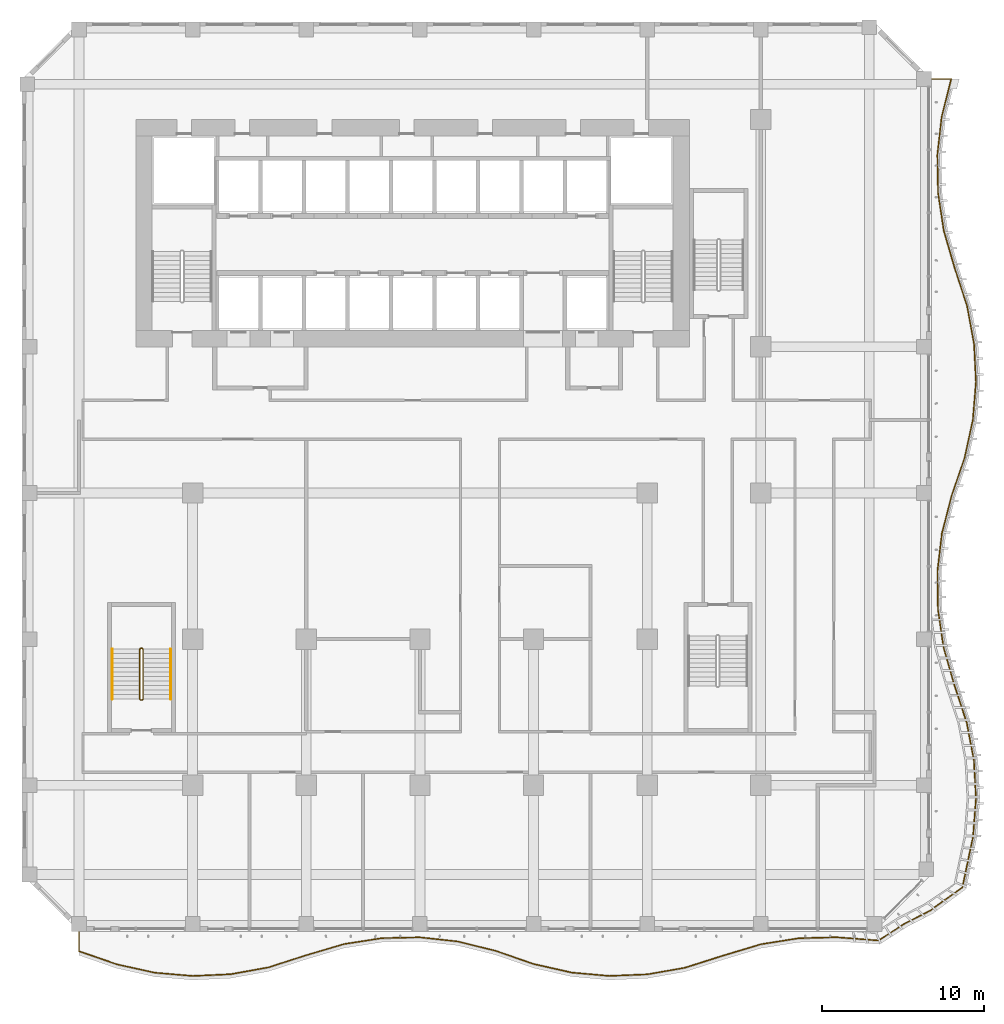
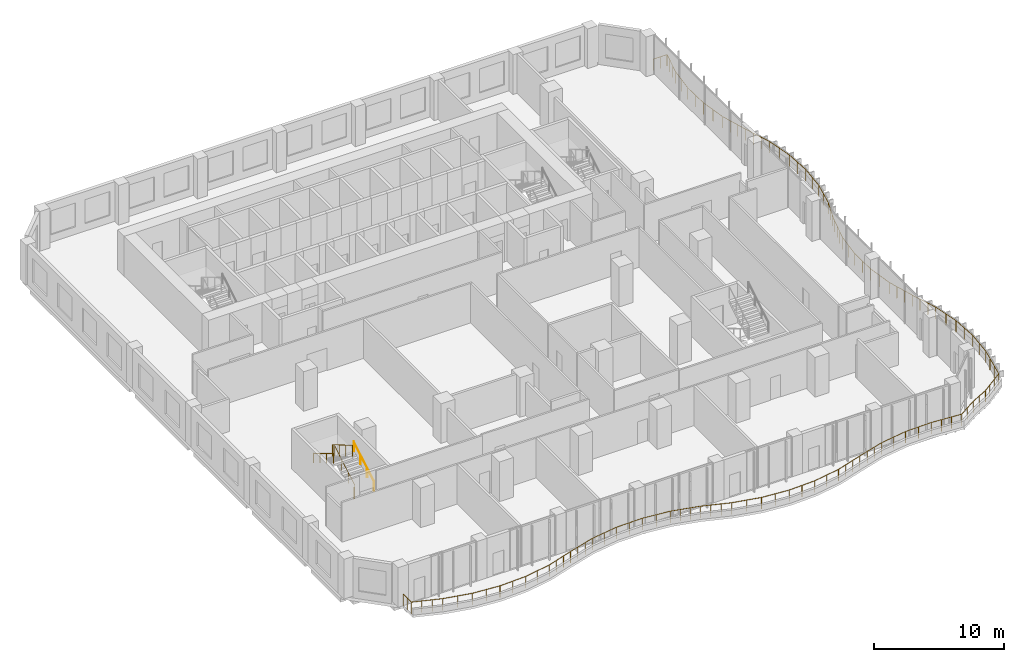
# One storey, part 21 of 28: 4 railings.
"""IFC4 building model written with IfcOpenShell, lengths in metres."""

from ifc_helpers import new_model, si_unit, direction, frame, origin, origin_2d, place, context, subcontext, project, spatial, circle, extrude, material, type_object, element, save


model = new_model("IFC4")

# Units and contexts
model_context = context("Model", 3, precision=1e-05, world=origin(), true_north=direction((0.0, 1.0)))
body_context = subcontext(model_context, "Body", "Model", "MODEL_VIEW")
ifc_project = project(units=[si_unit("LENGTHUNIT", "METRE"), si_unit("AREAUNIT", "SQUARE_METRE"), si_unit("VOLUMEUNIT", "CUBIC_METRE"), si_unit("PLANEANGLEUNIT", "RADIAN"), si_unit("MASSUNIT", "GRAM", prefix="KILO")], contexts=[model_context])

# Site, building, storey
site_placement = place(None, origin())
site = spatial("IfcSite", under=ifc_project, at=site_placement, CompositionType="ELEMENT")
building_placement = place(site_placement, origin())
building = spatial("IfcBuilding", under=site, at=building_placement, Name="Kilnfold Tower and Market Hall", CompositionType="ELEMENT")
storey_placement = place(building_placement, frame((0.0, 0.0, 75.199951171875)))
storey = spatial("IfcBuildingStorey", under=building, at=storey_placement, Name="L17", CompositionType="ELEMENT", Elevation=75.199951171875)

# Railings
ifc_material_1 = material(Name="Stainless steel 316", Category="steel")
railing_type_1 = type_object("IfcRailingType", Name="CORE STAIR GUARD 1100", PredefinedType="GUARDRAIL", material=ifc_material_1)
railing_1_placement = place(storey_placement, frame((-15.699951171875, -13.75, 0.0)))
element("IfcRailing", 1, at=railing_1_placement, inside=storey, type_object=railing_type_1, Name="L17 ST3 stair guard 1", PredefinedType="GUARDRAIL", context=body_context, shape_type="SweptSolid", body=[
    extrude(circle(Radius=0.02392578125, at=origin_2d()), frame((0.0, 0.0, 1.076171875), z_axis=(1.0, 0.0, 0.0), x_axis=(0.0, 1.0, 0.0)), (0.0, 0.0, 1.0), 0.099853515625),
    extrude(circle(Radius=0.02392578125, at=origin_2d()), frame((0.099853515625, 0.0, 1.076171875), z_axis=(0.27628659633, 0.27628659633, 0.920506074601), x_axis=(-0.707106781187, 0.707106781187, 0.0)), (0.0, 0.0, 1.0), 0.18115234375),
    extrude(circle(Radius=0.02392578125, at=origin_2d()), frame((0.14990234375, 0.050048828125, 1.24267578125), z_axis=(0.0, 0.859290745958, 0.51148745235), x_axis=(-1.0, 0.0, 0.0)), (0.0, 0.0, 1.0), 3.584228515625),
    extrude(circle(Radius=0.02392578125, at=origin_2d()), frame((0.14990234375, 3.1298828125, 3.076171875), z_axis=(-0.707106781187, 0.707106781187, 0.0), x_axis=(-0.707106781187, -0.707106781187, 0.0)), (0.0, 0.0, 1.0), 0.07080078125),
    extrude(circle(Radius=0.02392578125, at=origin_2d()), frame((0.099853515625, 3.179931640625, 3.076171875), z_axis=(-1.0, 0.0, 0.0), x_axis=(0.0, -1.0, 0.0)), (0.0, 0.0, 1.0), 0.099853515625),
    extrude(circle(Radius=0.02392578125, at=origin_2d()), frame((0.0, 3.179931640625, 3.076171875), z_axis=(-0.27628659633, -0.27628659633, 0.920506074601), x_axis=(0.707106781187, -0.707106781187, 0.0)), (0.0, 0.0, 1.0), 0.18115234375),
    extrude(circle(Radius=0.02392578125, at=origin_2d()), frame((-0.050048828125, 3.1298828125, 3.24267578125), z_axis=(0.0, -0.859290745958, 0.51148745235), x_axis=(1.0, 0.0, 0.0)), (0.0, 0.0, 1.0), 3.584228515625),
    extrude(circle(Radius=0.02099609375, at=origin_2d()), origin(), (0.0, 0.0, 1.0), 1.052001953125),
    extrude(circle(Radius=0.02099609375, at=origin_2d()), frame((0.099853515625, 0.0, 0.0)), (0.0, 0.0, 1.0), 1.052001953125),
    extrude(circle(Radius=0.02099609375, at=origin_2d()), frame((0.14990234375, 0.050048828125, 0.166748046875)), (0.0, 0.0, 1.0), 1.052001953125),
    extrude(circle(Radius=0.02099609375, at=origin_2d()), frame((0.14990234375, 1.07666015625, 0.77783203125)), (0.0, 0.0, 1.0), 1.052001953125),
    extrude(circle(Radius=0.02099609375, at=origin_2d()), frame((0.14990234375, 2.103271484375, 1.388916015625)), (0.0, 0.0, 1.0), 1.052001953125),
    extrude(circle(Radius=0.02099609375, at=origin_2d()), frame((0.14990234375, 3.1298828125, 2.0)), (0.0, 0.0, 1.0), 1.052001953125),
    extrude(circle(Radius=0.02099609375, at=origin_2d()), frame((0.099853515625, 3.179931640625, 2.0)), (0.0, 0.0, 1.0), 1.052001953125),
    extrude(circle(Radius=0.02099609375, at=origin_2d()), frame((0.0, 3.179931640625, 2.0)), (0.0, 0.0, 1.0), 1.052001953125),
    extrude(circle(Radius=0.02099609375, at=origin_2d()), frame((-0.050048828125, 3.1298828125, 2.166748046875)), (0.0, 0.0, 1.0), 1.052001953125),
    extrude(circle(Radius=0.02099609375, at=origin_2d()), frame((-0.050048828125, 2.103271484375, 2.77783203125)), (0.0, 0.0, 1.0), 1.052001953125),
    extrude(circle(Radius=0.02099609375, at=origin_2d()), frame((-0.050048828125, 1.07666015625, 3.388916015625)), (0.0, 0.0, 1.0), 1.052001953125),
    extrude(circle(Radius=0.02099609375, at=origin_2d()), frame((-0.050048828125, 0.050048828125, 4.0)), (0.0, 0.0, 1.0), 1.052001953125),
])
ifc_material_2 = material(Name="Stainless steel 316", Category="steel")
railing_type_2 = type_object("IfcRailingType", Name="CORE STAIR HANDRAIL 900", PredefinedType="HANDRAIL", material=ifc_material_2)
railing_2_placement = place(storey_placement, frame((-13.85009765625, -13.699951171875, 0.166748046875)))
element("IfcRailing", 2, at=railing_2_placement, inside=storey, type_object=railing_type_2, Name="L17 ST3 stair handrail 1", PredefinedType="HANDRAIL", context=body_context, shape_type="SweptSolid", body=[
    extrude(circle(Radius=0.02392578125, at=origin_2d()), frame((0.0, 0.0, 0.8759765625), z_axis=(0.0, 0.859290745958, 0.51148745235), x_axis=(-1.0, 0.0, 0.0)), (0.0, 0.0, 1.0), 3.584228515625),
    extrude(circle(Radius=0.02099609375, at=origin_2d()), origin(), (0.0, 0.0, 1.0), 0.851806640625),
    extrude(circle(Radius=0.02099609375, at=origin_2d()), frame((0.0, 1.026611328125, 0.611083984375)), (0.0, 0.0, 1.0), 0.851806640625),
    extrude(circle(Radius=0.02099609375, at=origin_2d()), frame((0.0, 2.05322265625, 1.22216796875)), (0.0, 0.0, 1.0), 0.851806640625),
    extrude(circle(Radius=0.02099609375, at=origin_2d()), frame((0.0, 3.079833984375, 1.833251953125)), (0.0, 0.0, 1.0), 0.851806640625),
])
railing_3_placement = place(storey_placement, frame((-17.449951171875, -10.6201171875, 2.166748046875)))
element("IfcRailing", 3, at=railing_3_placement, inside=storey, type_object=railing_type_2, Name="L17 ST3 stair handrail 2", PredefinedType="HANDRAIL", context=body_context, shape_type="SweptSolid", body=[
    extrude(circle(Radius=0.02392578125, at=origin_2d()), frame((0.0, 0.0, 0.8759765625), z_axis=(0.0, -0.859290745958, 0.51148745235), x_axis=(1.0, 0.0, 0.0)), (0.0, 0.0, 1.0), 3.584228515625),
    extrude(circle(Radius=0.02099609375, at=origin_2d()), origin(), (0.0, 0.0, 1.0), 0.851806640625),
    extrude(circle(Radius=0.02099609375, at=origin_2d()), frame((0.0, -1.026611328125, 0.611083984375)), (0.0, 0.0, 1.0), 0.851806640625),
    extrude(circle(Radius=0.02099609375, at=origin_2d()), frame((0.0, -2.05322265625, 1.22216796875)), (0.0, 0.0, 1.0), 0.851806640625),
    extrude(circle(Radius=0.02099609375, at=origin_2d()), frame((0.0, -3.079833984375, 1.833251953125)), (0.0, 0.0, 1.0), 0.851806640625),
])
ifc_material_3 = material(Name="Stainless steel and laminated glass", Category="steel")
railing_type_3 = type_object("IfcRailingType", Name="GUARD 1100", PredefinedType="GUARDRAIL", material=ifc_material_3)
railing_4_placement = place(storey_placement, frame((-19.5, -28.0, 0.0)))
element("IfcRailing", 4, at=railing_4_placement, inside=storey, type_object=railing_type_3, Name="Guard balcony L17", PredefinedType="GUARDRAIL", context=body_context, shape_type="SweptSolid", body=[
    extrude(circle(Radius=0.02490234375, at=origin_2d()), frame((0.0, 0.0, 1.0751953125), z_axis=(0.0, -1.0, 0.0), x_axis=(1.0, 0.0, 0.0)), (0.0, 0.0, 1.0), 1.223388671875),
    extrude(circle(Radius=0.02490234375, at=origin_2d()), frame((0.0, -1.223388671875, 1.0751953125), z_axis=(0.945175220701, -0.326563626531, 0.0), x_axis=(0.326563626531, 0.945175220701, 0.0)), (0.0, 0.0, 1.0), 2.468505859375),
    extrude(circle(Radius=0.02490234375, at=origin_2d()), frame((2.333251953125, -2.029541015625, 1.0751953125), z_axis=(0.976316671671, -0.216346381105, 0.0), x_axis=(0.216346381105, 0.976316671671, 0.0)), (0.0, 0.0, 1.0), 2.39013671875),
    extrude(circle(Radius=0.02490234375, at=origin_2d()), frame((4.666748046875, -2.546630859375, 1.0751953125), z_axis=(0.996348169595, -0.085383399696, 0.0), x_axis=(0.085383399696, 0.996348169595, 0.0)), (0.0, 0.0, 1.0), 2.341796875),
    extrude(circle(Radius=0.02490234375, at=origin_2d()), frame((7.0, -2.74658203125, 1.0751953125), z_axis=(0.998956219138, 0.045677918569, 0.0), x_axis=(-0.045677918569, 0.998956219138, 0.0)), (0.0, 0.0, 1.0), 2.335693359375),
    extrude(circle(Radius=0.02490234375, at=origin_2d()), frame((9.333251953125, -2.639892578125, 1.0751953125), z_axis=(0.984280847585, 0.176610342499, 0.0), x_axis=(-0.176610342499, 0.984280847585, 0.0)), (0.0, 0.0, 1.0), 2.370849609375),
    extrude(circle(Radius=0.02490234375, at=origin_2d()), frame((11.666748046875, -2.22119140625, 1.0751953125), z_axis=(0.951822133239, 0.306650659019, 0.0), x_axis=(-0.306650659019, 0.951822133239, 0.0)), (0.0, 0.0, 1.0), 2.451416015625),
    extrude(circle(Radius=0.02490234375, at=origin_2d()), frame((14.0, -1.469482421875, 1.0751953125), z_axis=(0.958871969093, 0.283838945335, 0.0), x_axis=(-0.283838945335, 0.958871969093, 0.0)), (0.0, 0.0, 1.0), 2.433349609375),
    extrude(circle(Radius=0.02490234375, at=origin_2d()), frame((16.333251953125, -0.77880859375, 1.0751953125), z_axis=(0.988254262628, 0.152818560385, 0.0), x_axis=(-0.152818560385, 0.988254262628, 0.0)), (0.0, 0.0, 1.0), 2.361328125),
    extrude(circle(Radius=0.02490234375, at=origin_2d()), frame((18.666748046875, -0.41796875, 1.0751953125), z_axis=(0.999760963806, 0.021863559845, 0.0), x_axis=(-0.021863559845, 0.999760963806, 0.0)), (0.0, 0.0, 1.0), 2.333740234375),
    extrude(circle(Radius=0.02490234375, at=origin_2d()), frame((21.0, -0.366943359375, 1.0751953125), z_axis=(0.994018703781, -0.109209965363, 0.0), x_axis=(0.109209965363, 0.994018703781, 0.0)), (0.0, 0.0, 1.0), 2.347412109375),
    extrude(circle(Radius=0.02490234375, at=origin_2d()), frame((23.333251953125, -0.623291015625, 1.0751953125), z_axis=(0.970748821988, -0.240097323203, 0.0), x_axis=(0.240097323203, 0.970748821988, 0.0)), (0.0, 0.0, 1.0), 2.40380859375),
    extrude(circle(Radius=0.02490234375, at=origin_2d()), frame((25.666748046875, -1.200439453125, 1.0751953125), z_axis=(0.944930811153, -0.327270166885, 0.0), x_axis=(0.327270166885, 0.944930811153, 0.0)), (0.0, 0.0, 1.0), 2.46923828125),
    extrude(circle(Radius=0.02490234375, at=origin_2d()), frame((28.0, -2.008544921875, 1.0751953125), z_axis=(0.97541977644, -0.220354849569, 0.0), x_axis=(0.220354849569, 0.97541977644, 0.0)), (0.0, 0.0, 1.0), 2.39208984375),
    extrude(circle(Radius=0.02490234375, at=origin_2d()), frame((30.333251953125, -2.53564453125, 1.0751953125), z_axis=(0.995995065354, -0.089408219928, 0.0), x_axis=(0.089408219928, 0.995995065354, 0.0)), (0.0, 0.0, 1.0), 2.3427734375),
    extrude(circle(Radius=0.02490234375, at=origin_2d()), frame((32.666748046875, -2.7451171875, 1.0751953125), z_axis=(0.999129627144, 0.041713165348, 0.0), x_axis=(-0.041713165348, 0.999129627144, 0.0)), (0.0, 0.0, 1.0), 2.335205078125),
    extrude(circle(Radius=0.02490234375, at=origin_2d()), frame((35.0, -2.647705078125, 1.0751953125), z_axis=(0.984968716558, 0.172732820859, 0.0), x_axis=(-0.172732820859, 0.984968716558, 0.0)), (0.0, 0.0, 1.0), 2.368896484375),
    extrude(circle(Radius=0.02490234375, at=origin_2d()), frame((37.333251953125, -2.238525390625, 1.0751953125), z_axis=(0.952931017386, 0.303187196471, 0.0), x_axis=(-0.303187196471, 0.952931017386, 0.0)), (0.0, 0.0, 1.0), 2.44873046875),
    extrude(circle(Radius=0.02490234375, at=origin_2d()), frame((39.666748046875, -1.49609375, 1.0751953125), z_axis=(0.957663412718, 0.287890235925, 0.0), x_axis=(-0.287890235925, 0.957663412718, 0.0)), (0.0, 0.0, 1.0), 2.436279296875),
    extrude(circle(Radius=0.02490234375, at=origin_2d()), frame((42.0, -0.794677734375, 1.0751953125), z_axis=(0.98763527449, 0.15676914423, 0.0), x_axis=(-0.15676914423, 0.98763527449, 0.0)), (0.0, 0.0, 1.0), 2.362548828125),
    extrude(circle(Radius=0.02490234375, at=origin_2d()), frame((44.333251953125, -0.42431640625, 1.0751953125), z_axis=(0.999666256818, 0.02583360174, 0.0), x_axis=(-0.02583360174, 0.999666256818, 0.0)), (0.0, 0.0, 1.0), 2.334228515625),
    extrude(circle(Radius=0.02490234375, at=origin_2d()), frame((46.666748046875, -0.364013671875, 1.0751953125), z_axis=(0.996972486943, -0.077755130235, 0.0), x_axis=(0.077755130235, 0.996972486943, 0.0)), (0.0, 0.0, 1.0), 2.57470703125),
    extrude(circle(Radius=0.02490234375, at=origin_2d()), frame((49.233642578125, -0.564208984375, 1.0751953125), z_axis=(0.842172517218, 0.5392081706, 0.0), x_axis=(-0.5392081706, 0.842172517218, 0.0)), (0.0, 0.0, 1.0), 1.928466796875),
    extrude(circle(Radius=0.02490234375, at=origin_2d()), frame((50.857666015625, 0.4755859375, 1.0751953125), z_axis=(0.891167253243, 0.453674913067, 0.0), x_axis=(-0.453674913067, 0.891167253243, 0.0)), (0.0, 0.0, 1.0), 1.73486328125),
    extrude(circle(Radius=0.02490234375, at=origin_2d()), frame((52.40380859375, 1.2626953125, 1.0751953125), z_axis=(0.811775672463, 0.583969397826, 0.0), x_axis=(-0.583969397826, 0.811775672463, 0.0)), (0.0, 0.0, 1.0), 2.474609375),
    extrude(circle(Radius=0.02490234375, at=origin_2d()), frame((54.41259765625, 2.707763671875, 1.0751953125), z_axis=(0.205120350133, 0.978736758256, 0.0), x_axis=(-0.978736758256, 0.205120350133, 0.0)), (0.0, 0.0, 1.0), 3.193359375),
    extrude(circle(Radius=0.02490234375, at=origin_2d()), frame((55.067626953125, 5.833251953125, 1.0751953125), z_axis=(0.077398428524, 0.997000242358, 0.0), x_axis=(-0.997000242358, 0.077398428524, 0.0)), (0.0, 0.0, 1.0), 2.340576171875),
    extrude(circle(Radius=0.02490234375, at=origin_2d()), frame((55.248779296875, 8.166748046875, 1.0751953125), z_axis=(-0.053600767457, 0.998562445583, 0.0), x_axis=(-0.998562445583, -0.053600767457, 0.0)), (0.0, 0.0, 1.0), 2.336669921875),
    extrude(circle(Radius=0.02490234375, at=origin_2d()), frame((55.12353515625, 10.5, 1.0751953125), z_axis=(-0.184592769099, 0.982815094306, 0.0), x_axis=(-0.982815094306, -0.184592769099, 0.0)), (0.0, 0.0, 1.0), 2.3740234375),
    extrude(circle(Radius=0.02490234375, at=origin_2d()), frame((54.685302734375, 12.833251953125, 1.0751953125), z_axis=(-0.312558186473, 0.949898615679, 0.0), x_axis=(-0.949898615679, -0.312558186473, 0.0)), (0.0, 0.0, 1.0), 2.45654296875),
    extrude(circle(Radius=0.02490234375, at=origin_2d()), frame((53.91748046875, 15.166748046875, 1.0751953125), z_axis=(-0.275876590491, 0.96119306428, 0.0), x_axis=(-0.96119306428, -0.275876590491, 0.0)), (0.0, 0.0, 1.0), 2.427490234375),
    extrude(circle(Radius=0.02490234375, at=origin_2d()), frame((53.247802734375, 17.5, 1.0751953125), z_axis=(-0.144942565493, 0.989440070297, 0.0), x_axis=(-0.989440070297, -0.144942565493, 0.0)), (0.0, 0.0, 1.0), 2.358154296875),
    extrude(circle(Radius=0.02490234375, at=origin_2d()), frame((52.906005859375, 19.833251953125, 1.0751953125), z_axis=(-0.013809103763, 0.999904649781, 0.0), x_axis=(-0.999904649781, -0.013809103763, 0.0)), (0.0, 0.0, 1.0), 2.333740234375),
    extrude(circle(Radius=0.02490234375, at=origin_2d()), frame((52.873779296875, 22.166748046875, 1.0751953125), z_axis=(0.117010065984, 0.993130728786, 0.0), x_axis=(-0.993130728786, 0.117010065984, 0.0)), (0.0, 0.0, 1.0), 2.349365234375),
    extrude(circle(Radius=0.02490234375, at=origin_2d()), frame((53.148681640625, 24.5, 1.0751953125), z_axis=(0.248231467122, 0.96870074777, 0.0), x_axis=(-0.96870074777, 0.248231467122, 0.0)), (0.0, 0.0, 1.0), 2.40869140625),
    extrude(circle(Radius=0.02490234375, at=origin_2d()), frame((53.74658203125, 26.833251953125, 1.0751953125), z_axis=(0.325560785009, 0.945521113072, 0.0), x_axis=(-0.945521113072, 0.325560785009, 0.0)), (0.0, 0.0, 1.0), 2.468017578125),
    extrude(circle(Radius=0.02490234375, at=origin_2d()), frame((54.550048828125, 29.166748046875, 1.0751953125), z_axis=(0.212467848118, 0.97716805797, 0.0), x_axis=(-0.97716805797, 0.212467848118, 0.0)), (0.0, 0.0, 1.0), 2.3876953125),
    extrude(circle(Radius=0.02490234375, at=origin_2d()), frame((55.057373046875, 31.5, 1.0751953125), z_axis=(0.081345095449, 0.996685996413, 0.0), x_axis=(-0.996685996413, 0.081345095449, 0.0)), (0.0, 0.0, 1.0), 2.341064453125),
    extrude(circle(Radius=0.02490234375, at=origin_2d()), frame((55.247802734375, 33.833251953125, 1.0751953125), z_axis=(-0.049635333586, 0.998767407187, 0.0), x_axis=(-0.998767407187, -0.049635333586, 0.0)), (0.0, 0.0, 1.0), 2.33642578125),
    extrude(circle(Radius=0.02490234375, at=origin_2d()), frame((55.1318359375, 36.166748046875, 1.0751953125), z_axis=(-0.180614948652, 0.983553882776, 0.0), x_axis=(-0.983553882776, -0.180614948652, 0.0)), (0.0, 0.0, 1.0), 2.372314453125),
    extrude(circle(Radius=0.02490234375, at=origin_2d()), frame((54.703369140625, 38.5, 1.0751953125), z_axis=(-0.309713655114, 0.950829875338, 0.0), x_axis=(-0.950829875338, -0.309713655114, 0.0)), (0.0, 0.0, 1.0), 2.453857421875),
    extrude(circle(Radius=0.02490234375, at=origin_2d()), frame((53.943359375, 40.833251953125, 1.0751953125), z_axis=(-0.279837999342, 0.960047235361, 0.0), x_axis=(-0.960047235361, -0.279837999342, 0.0)), (0.0, 0.0, 1.0), 2.4306640625),
    extrude(circle(Radius=0.02490234375, at=origin_2d()), frame((53.26318359375, 43.166748046875, 1.0751953125), z_axis=(-0.148891927358, 0.988853474468, 0.0), x_axis=(-0.988853474468, -0.148891927358, 0.0)), (0.0, 0.0, 1.0), 2.359619140625),
    extrude(circle(Radius=0.02490234375, at=origin_2d()), frame((52.911865234375, 45.5, 1.0751953125), z_axis=(-0.017889780687, 0.999839965068, 0.0), x_axis=(-0.999839965068, -0.017889780687, 0.0)), (0.0, 0.0, 1.0), 2.333740234375),
    extrude(circle(Radius=0.02490234375, at=origin_2d()), frame((52.8701171875, 47.833251953125, 1.0751953125), z_axis=(0.113203568407, 0.993571815271, 0.0), x_axis=(-0.993571815271, 0.113203568407, 0.0)), (0.0, 0.0, 1.0), 2.3486328125),
    extrude(circle(Radius=0.02490234375, at=origin_2d()), frame((53.135986328125, 50.166748046875, 1.0751953125), z_axis=(0.244134927646, 0.96974127328, 0.0), x_axis=(-0.96974127328, 0.244134927646, 0.0)), (0.0, 0.0, 1.0), 2.406005859375),
    extrude(circle(Radius=0.02490234375, at=origin_2d()), frame((53.723388671875, 52.5, 1.0751953125), z_axis=(-1.0, 0.0, 0.0), x_axis=(0.0, -1.0, 0.0)), (0.0, 0.0, 1.0), 1.223388671875),
    extrude(circle(Radius=0.02490234375, at=origin_2d()), origin(), (0.0, 0.0, 1.0), 1.050048828125),
    extrude(circle(Radius=0.02490234375, at=origin_2d()), frame((0.0, -0.61181640625, 0.0)), (0.0, 0.0, 1.0), 1.050048828125),
    extrude(circle(Radius=0.02490234375, at=origin_2d()), frame((0.0, -1.223388671875, 0.0)), (0.0, 0.0, 1.0), 1.050048828125),
    extrude(circle(Radius=0.02490234375, at=origin_2d()), frame((0.77783203125, -1.4921875, 0.0)), (0.0, 0.0, 1.0), 1.050048828125),
    extrude(circle(Radius=0.02490234375, at=origin_2d()), frame((1.555419921875, -1.7607421875, 0.0)), (0.0, 0.0, 1.0), 1.050048828125),
    extrude(circle(Radius=0.02490234375, at=origin_2d()), frame((2.333251953125, -2.029541015625, 0.0)), (0.0, 0.0, 1.0), 1.050048828125),
    extrude(circle(Radius=0.02490234375, at=origin_2d()), frame((3.5, -2.2880859375, 0.0)), (0.0, 0.0, 1.0), 1.050048828125),
    extrude(circle(Radius=0.02490234375, at=origin_2d()), frame((4.666748046875, -2.546630859375, 0.0)), (0.0, 0.0, 1.0), 1.050048828125),
    extrude(circle(Radius=0.02490234375, at=origin_2d()), frame((5.83349609375, -2.646484375, 0.0)), (0.0, 0.0, 1.0), 1.050048828125),
    extrude(circle(Radius=0.02490234375, at=origin_2d()), frame((7.0, -2.74658203125, 0.0)), (0.0, 0.0, 1.0), 1.050048828125),
    extrude(circle(Radius=0.02490234375, at=origin_2d()), frame((8.16650390625, -2.693359375, 0.0)), (0.0, 0.0, 1.0), 1.050048828125),
    extrude(circle(Radius=0.02490234375, at=origin_2d()), frame((9.333251953125, -2.639892578125, 0.0)), (0.0, 0.0, 1.0), 1.050048828125),
    extrude(circle(Radius=0.02490234375, at=origin_2d()), frame((10.5, -2.4306640625, 0.0)), (0.0, 0.0, 1.0), 1.050048828125),
    extrude(circle(Radius=0.02490234375, at=origin_2d()), frame((11.666748046875, -2.22119140625, 0.0)), (0.0, 0.0, 1.0), 1.050048828125),
    extrude(circle(Radius=0.02490234375, at=origin_2d()), frame((12.444580078125, -1.970703125, 0.0)), (0.0, 0.0, 1.0), 1.050048828125),
    extrude(circle(Radius=0.02490234375, at=origin_2d()), frame((13.22216796875, -1.719970703125, 0.0)), (0.0, 0.0, 1.0), 1.050048828125),
    extrude(circle(Radius=0.02490234375, at=origin_2d()), frame((14.0, -1.469482421875, 0.0)), (0.0, 0.0, 1.0), 1.050048828125),
    extrude(circle(Radius=0.02490234375, at=origin_2d()), frame((14.77783203125, -1.2392578125, 0.0)), (0.0, 0.0, 1.0), 1.050048828125),
    extrude(circle(Radius=0.02490234375, at=origin_2d()), frame((15.555419921875, -1.009033203125, 0.0)), (0.0, 0.0, 1.0), 1.050048828125),
    extrude(circle(Radius=0.02490234375, at=origin_2d()), frame((16.333251953125, -0.77880859375, 0.0)), (0.0, 0.0, 1.0), 1.050048828125),
    extrude(circle(Radius=0.02490234375, at=origin_2d()), frame((17.5, -0.598388671875, 0.0)), (0.0, 0.0, 1.0), 1.050048828125),
    extrude(circle(Radius=0.02490234375, at=origin_2d()), frame((18.666748046875, -0.41796875, 0.0)), (0.0, 0.0, 1.0), 1.050048828125),
    extrude(circle(Radius=0.02490234375, at=origin_2d()), frame((19.83349609375, -0.392578125, 0.0)), (0.0, 0.0, 1.0), 1.050048828125),
    extrude(circle(Radius=0.02490234375, at=origin_2d()), frame((21.0, -0.366943359375, 0.0)), (0.0, 0.0, 1.0), 1.050048828125),
    extrude(circle(Radius=0.02490234375, at=origin_2d()), frame((22.16650390625, -0.4951171875, 0.0)), (0.0, 0.0, 1.0), 1.050048828125),
    extrude(circle(Radius=0.02490234375, at=origin_2d()), frame((23.333251953125, -0.623291015625, 0.0)), (0.0, 0.0, 1.0), 1.050048828125),
    extrude(circle(Radius=0.02490234375, at=origin_2d()), frame((24.111083984375, -0.815673828125, 0.0)), (0.0, 0.0, 1.0), 1.050048828125),
    extrude(circle(Radius=0.02490234375, at=origin_2d()), frame((24.888916015625, -1.008056640625, 0.0)), (0.0, 0.0, 1.0), 1.050048828125),
    extrude(circle(Radius=0.02490234375, at=origin_2d()), frame((25.666748046875, -1.200439453125, 0.0)), (0.0, 0.0, 1.0), 1.050048828125),
    extrude(circle(Radius=0.02490234375, at=origin_2d()), frame((26.444580078125, -1.4697265625, 0.0)), (0.0, 0.0, 1.0), 1.050048828125),
    extrude(circle(Radius=0.02490234375, at=origin_2d()), frame((27.22216796875, -1.7392578125, 0.0)), (0.0, 0.0, 1.0), 1.050048828125),
    extrude(circle(Radius=0.02490234375, at=origin_2d()), frame((28.0, -2.008544921875, 0.0)), (0.0, 0.0, 1.0), 1.050048828125),
    extrude(circle(Radius=0.02490234375, at=origin_2d()), frame((29.16650390625, -2.27197265625, 0.0)), (0.0, 0.0, 1.0), 1.050048828125),
    extrude(circle(Radius=0.02490234375, at=origin_2d()), frame((30.333251953125, -2.53564453125, 0.0)), (0.0, 0.0, 1.0), 1.050048828125),
    extrude(circle(Radius=0.02490234375, at=origin_2d()), frame((31.5, -2.640380859375, 0.0)), (0.0, 0.0, 1.0), 1.050048828125),
    extrude(circle(Radius=0.02490234375, at=origin_2d()), frame((32.666748046875, -2.7451171875, 0.0)), (0.0, 0.0, 1.0), 1.050048828125),
    extrude(circle(Radius=0.02490234375, at=origin_2d()), frame((33.83349609375, -2.6962890625, 0.0)), (0.0, 0.0, 1.0), 1.050048828125),
    extrude(circle(Radius=0.02490234375, at=origin_2d()), frame((35.0, -2.647705078125, 0.0)), (0.0, 0.0, 1.0), 1.050048828125),
    extrude(circle(Radius=0.02490234375, at=origin_2d()), frame((36.16650390625, -2.443115234375, 0.0)), (0.0, 0.0, 1.0), 1.050048828125),
    extrude(circle(Radius=0.02490234375, at=origin_2d()), frame((37.333251953125, -2.238525390625, 0.0)), (0.0, 0.0, 1.0), 1.050048828125),
    extrude(circle(Radius=0.02490234375, at=origin_2d()), frame((38.111083984375, -1.990966796875, 0.0)), (0.0, 0.0, 1.0), 1.050048828125),
    extrude(circle(Radius=0.02490234375, at=origin_2d()), frame((38.888916015625, -1.74365234375, 0.0)), (0.0, 0.0, 1.0), 1.050048828125),
    extrude(circle(Radius=0.02490234375, at=origin_2d()), frame((39.666748046875, -1.49609375, 0.0)), (0.0, 0.0, 1.0), 1.050048828125),
    extrude(circle(Radius=0.02490234375, at=origin_2d()), frame((40.444580078125, -1.26220703125, 0.0)), (0.0, 0.0, 1.0), 1.050048828125),
    extrude(circle(Radius=0.02490234375, at=origin_2d()), frame((41.22216796875, -1.028564453125, 0.0)), (0.0, 0.0, 1.0), 1.050048828125),
    extrude(circle(Radius=0.02490234375, at=origin_2d()), frame((42.0, -0.794677734375, 0.0)), (0.0, 0.0, 1.0), 1.050048828125),
    extrude(circle(Radius=0.02490234375, at=origin_2d()), frame((43.16650390625, -0.609375, 0.0)), (0.0, 0.0, 1.0), 1.050048828125),
    extrude(circle(Radius=0.02490234375, at=origin_2d()), frame((44.333251953125, -0.42431640625, 0.0)), (0.0, 0.0, 1.0), 1.050048828125),
    extrude(circle(Radius=0.02490234375, at=origin_2d()), frame((45.5, -0.39404296875, 0.0)), (0.0, 0.0, 1.0), 1.050048828125),
    extrude(circle(Radius=0.02490234375, at=origin_2d()), frame((46.666748046875, -0.364013671875, 0.0)), (0.0, 0.0, 1.0), 1.050048828125),
    extrude(circle(Radius=0.02490234375, at=origin_2d()), frame((47.5224609375, -0.4306640625, 0.0)), (0.0, 0.0, 1.0), 1.050048828125),
    extrude(circle(Radius=0.02490234375, at=origin_2d()), frame((48.3779296875, -0.49755859375, 0.0)), (0.0, 0.0, 1.0), 1.050048828125),
    extrude(circle(Radius=0.02490234375, at=origin_2d()), frame((49.233642578125, -0.564208984375, 0.0)), (0.0, 0.0, 1.0), 1.050048828125),
    extrude(circle(Radius=0.02490234375, at=origin_2d()), frame((50.045654296875, -0.04443359375, 0.0)), (0.0, 0.0, 1.0), 1.050048828125),
    extrude(circle(Radius=0.02490234375, at=origin_2d()), frame((50.857666015625, 0.4755859375, 0.0)), (0.0, 0.0, 1.0), 1.050048828125),
    extrude(circle(Radius=0.02490234375, at=origin_2d()), frame((51.630859375, 0.869140625, 0.0)), (0.0, 0.0, 1.0), 1.050048828125),
    extrude(circle(Radius=0.02490234375, at=origin_2d()), frame((52.40380859375, 1.2626953125, 0.0)), (0.0, 0.0, 1.0), 1.050048828125),
    extrude(circle(Radius=0.02490234375, at=origin_2d()), frame((53.073486328125, 1.744384765625, 0.0)), (0.0, 0.0, 1.0), 1.050048828125),
    extrude(circle(Radius=0.02490234375, at=origin_2d()), frame((53.742919921875, 2.22607421875, 0.0)), (0.0, 0.0, 1.0), 1.050048828125),
    extrude(circle(Radius=0.02490234375, at=origin_2d()), frame((54.41259765625, 2.707763671875, 0.0)), (0.0, 0.0, 1.0), 1.050048828125),
    extrude(circle(Radius=0.02490234375, at=origin_2d()), frame((54.630859375, 3.74951171875, 0.0)), (0.0, 0.0, 1.0), 1.050048828125),
    extrude(circle(Radius=0.02490234375, at=origin_2d()), frame((54.849365234375, 4.79150390625, 0.0)), (0.0, 0.0, 1.0), 1.050048828125),
    extrude(circle(Radius=0.02490234375, at=origin_2d()), frame((55.067626953125, 5.833251953125, 0.0)), (0.0, 0.0, 1.0), 1.050048828125),
    extrude(circle(Radius=0.02490234375, at=origin_2d()), frame((55.158203125, 7.0, 0.0)), (0.0, 0.0, 1.0), 1.050048828125),
    extrude(circle(Radius=0.02490234375, at=origin_2d()), frame((55.248779296875, 8.166748046875, 0.0)), (0.0, 0.0, 1.0), 1.050048828125),
    extrude(circle(Radius=0.02490234375, at=origin_2d()), frame((55.18603515625, 9.33349609375, 0.0)), (0.0, 0.0, 1.0), 1.050048828125),
    extrude(circle(Radius=0.02490234375, at=origin_2d()), frame((55.12353515625, 10.5, 0.0)), (0.0, 0.0, 1.0), 1.050048828125),
    extrude(circle(Radius=0.02490234375, at=origin_2d()), frame((54.904296875, 11.66650390625, 0.0)), (0.0, 0.0, 1.0), 1.050048828125),
    extrude(circle(Radius=0.02490234375, at=origin_2d()), frame((54.685302734375, 12.833251953125, 0.0)), (0.0, 0.0, 1.0), 1.050048828125),
    extrude(circle(Radius=0.02490234375, at=origin_2d()), frame((54.429443359375, 13.611083984375, 0.0)), (0.0, 0.0, 1.0), 1.050048828125),
    extrude(circle(Radius=0.02490234375, at=origin_2d()), frame((54.17333984375, 14.388916015625, 0.0)), (0.0, 0.0, 1.0), 1.050048828125),
    extrude(circle(Radius=0.02490234375, at=origin_2d()), frame((53.91748046875, 15.166748046875, 0.0)), (0.0, 0.0, 1.0), 1.050048828125),
    extrude(circle(Radius=0.02490234375, at=origin_2d()), frame((53.6943359375, 15.944580078125, 0.0)), (0.0, 0.0, 1.0), 1.050048828125),
    extrude(circle(Radius=0.02490234375, at=origin_2d()), frame((53.470947265625, 16.72216796875, 0.0)), (0.0, 0.0, 1.0), 1.050048828125),
    extrude(circle(Radius=0.02490234375, at=origin_2d()), frame((53.247802734375, 17.5, 0.0)), (0.0, 0.0, 1.0), 1.050048828125),
    extrude(circle(Radius=0.02490234375, at=origin_2d()), frame((53.076904296875, 18.66650390625, 0.0)), (0.0, 0.0, 1.0), 1.050048828125),
    extrude(circle(Radius=0.02490234375, at=origin_2d()), frame((52.906005859375, 19.833251953125, 0.0)), (0.0, 0.0, 1.0), 1.050048828125),
    extrude(circle(Radius=0.02490234375, at=origin_2d()), frame((52.889892578125, 21.0, 0.0)), (0.0, 0.0, 1.0), 1.050048828125),
    extrude(circle(Radius=0.02490234375, at=origin_2d()), frame((52.873779296875, 22.166748046875, 0.0)), (0.0, 0.0, 1.0), 1.050048828125),
    extrude(circle(Radius=0.02490234375, at=origin_2d()), frame((53.01123046875, 23.33349609375, 0.0)), (0.0, 0.0, 1.0), 1.050048828125),
    extrude(circle(Radius=0.02490234375, at=origin_2d()), frame((53.148681640625, 24.5, 0.0)), (0.0, 0.0, 1.0), 1.050048828125),
    extrude(circle(Radius=0.02490234375, at=origin_2d()), frame((53.347900390625, 25.27783203125, 0.0)), (0.0, 0.0, 1.0), 1.050048828125),
    extrude(circle(Radius=0.02490234375, at=origin_2d()), frame((53.54736328125, 26.055419921875, 0.0)), (0.0, 0.0, 1.0), 1.050048828125),
    extrude(circle(Radius=0.02490234375, at=origin_2d()), frame((53.74658203125, 26.833251953125, 0.0)), (0.0, 0.0, 1.0), 1.050048828125),
    extrude(circle(Radius=0.02490234375, at=origin_2d()), frame((54.014404296875, 27.611083984375, 0.0)), (0.0, 0.0, 1.0), 1.050048828125),
    extrude(circle(Radius=0.02490234375, at=origin_2d()), frame((54.2822265625, 28.388916015625, 0.0)), (0.0, 0.0, 1.0), 1.050048828125),
    extrude(circle(Radius=0.02490234375, at=origin_2d()), frame((54.550048828125, 29.166748046875, 0.0)), (0.0, 0.0, 1.0), 1.050048828125),
    extrude(circle(Radius=0.02490234375, at=origin_2d()), frame((54.8037109375, 30.33349609375, 0.0)), (0.0, 0.0, 1.0), 1.050048828125),
    extrude(circle(Radius=0.02490234375, at=origin_2d()), frame((55.057373046875, 31.5, 0.0)), (0.0, 0.0, 1.0), 1.050048828125),
    extrude(circle(Radius=0.02490234375, at=origin_2d()), frame((55.152587890625, 32.66650390625, 0.0)), (0.0, 0.0, 1.0), 1.050048828125),
    extrude(circle(Radius=0.02490234375, at=origin_2d()), frame((55.247802734375, 33.833251953125, 0.0)), (0.0, 0.0, 1.0), 1.050048828125),
    extrude(circle(Radius=0.02490234375, at=origin_2d()), frame((55.18994140625, 35.0, 0.0)), (0.0, 0.0, 1.0), 1.050048828125),
    extrude(circle(Radius=0.02490234375, at=origin_2d()), frame((55.1318359375, 36.166748046875, 0.0)), (0.0, 0.0, 1.0), 1.050048828125),
    extrude(circle(Radius=0.02490234375, at=origin_2d()), frame((54.91748046875, 37.33349609375, 0.0)), (0.0, 0.0, 1.0), 1.050048828125),
    extrude(circle(Radius=0.02490234375, at=origin_2d()), frame((54.703369140625, 38.5, 0.0)), (0.0, 0.0, 1.0), 1.050048828125),
    extrude(circle(Radius=0.02490234375, at=origin_2d()), frame((54.449951171875, 39.27783203125, 0.0)), (0.0, 0.0, 1.0), 1.050048828125),
    extrude(circle(Radius=0.02490234375, at=origin_2d()), frame((54.19677734375, 40.055419921875, 0.0)), (0.0, 0.0, 1.0), 1.050048828125),
    extrude(circle(Radius=0.02490234375, at=origin_2d()), frame((53.943359375, 40.833251953125, 0.0)), (0.0, 0.0, 1.0), 1.050048828125),
    extrude(circle(Radius=0.02490234375, at=origin_2d()), frame((53.716552734375, 41.611083984375, 0.0)), (0.0, 0.0, 1.0), 1.050048828125),
    extrude(circle(Radius=0.02490234375, at=origin_2d()), frame((53.489990234375, 42.388916015625, 0.0)), (0.0, 0.0, 1.0), 1.050048828125),
    extrude(circle(Radius=0.02490234375, at=origin_2d()), frame((53.26318359375, 43.166748046875, 0.0)), (0.0, 0.0, 1.0), 1.050048828125),
    extrude(circle(Radius=0.02490234375, at=origin_2d()), frame((53.08740234375, 44.33349609375, 0.0)), (0.0, 0.0, 1.0), 1.050048828125),
    extrude(circle(Radius=0.02490234375, at=origin_2d()), frame((52.911865234375, 45.5, 0.0)), (0.0, 0.0, 1.0), 1.050048828125),
    extrude(circle(Radius=0.02490234375, at=origin_2d()), frame((52.89111328125, 46.66650390625, 0.0)), (0.0, 0.0, 1.0), 1.050048828125),
    extrude(circle(Radius=0.02490234375, at=origin_2d()), frame((52.8701171875, 47.833251953125, 0.0)), (0.0, 0.0, 1.0), 1.050048828125),
    extrude(circle(Radius=0.02490234375, at=origin_2d()), frame((53.0029296875, 49.0, 0.0)), (0.0, 0.0, 1.0), 1.050048828125),
    extrude(circle(Radius=0.02490234375, at=origin_2d()), frame((53.135986328125, 50.166748046875, 0.0)), (0.0, 0.0, 1.0), 1.050048828125),
    extrude(circle(Radius=0.02490234375, at=origin_2d()), frame((53.331787109375, 50.944580078125, 0.0)), (0.0, 0.0, 1.0), 1.050048828125),
    extrude(circle(Radius=0.02490234375, at=origin_2d()), frame((53.527587890625, 51.72216796875, 0.0)), (0.0, 0.0, 1.0), 1.050048828125),
    extrude(circle(Radius=0.02490234375, at=origin_2d()), frame((53.723388671875, 52.5, 0.0)), (0.0, 0.0, 1.0), 1.050048828125),
    extrude(circle(Radius=0.02490234375, at=origin_2d()), frame((53.11181640625, 52.5, 0.0)), (0.0, 0.0, 1.0), 1.050048828125),
    extrude(circle(Radius=0.02490234375, at=origin_2d()), frame((52.5, 52.5, 0.0)), (0.0, 0.0, 1.0), 1.050048828125),
])

save(model, "model.ifc")
